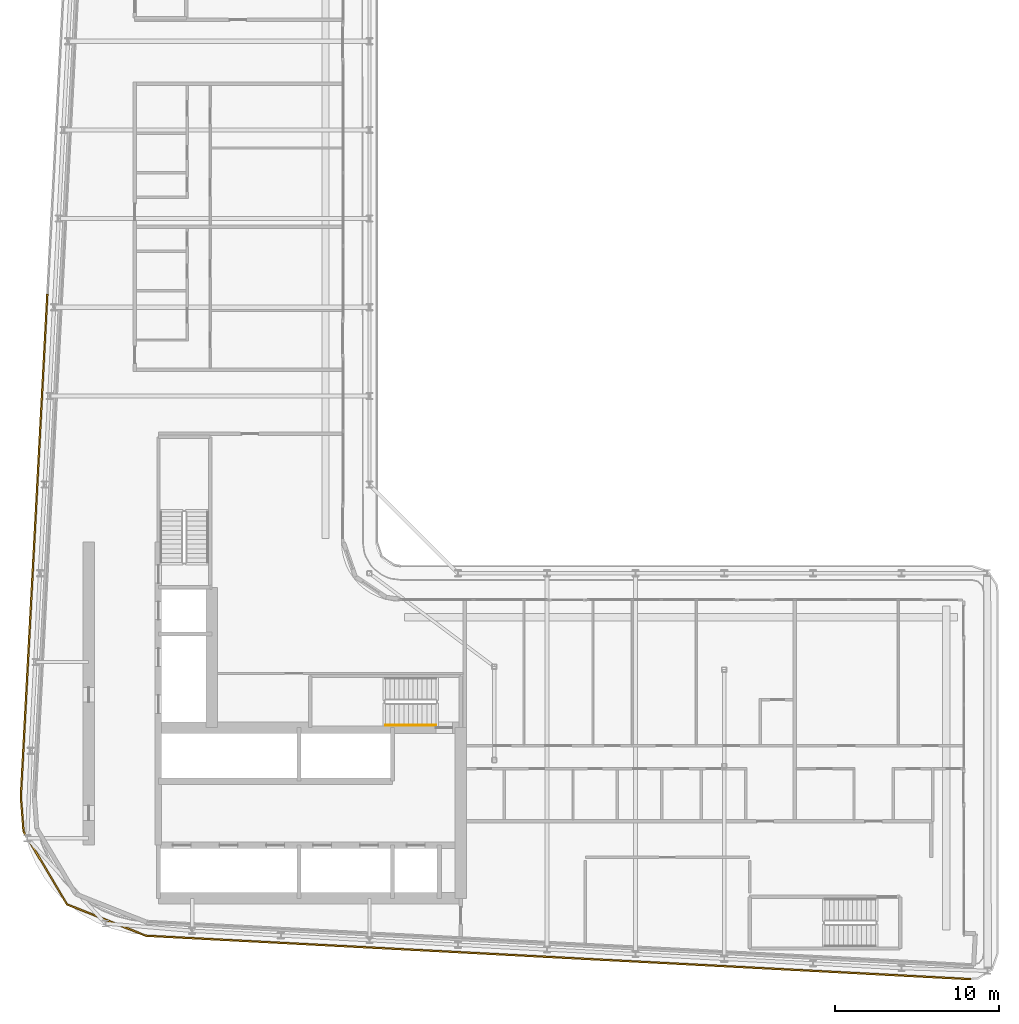
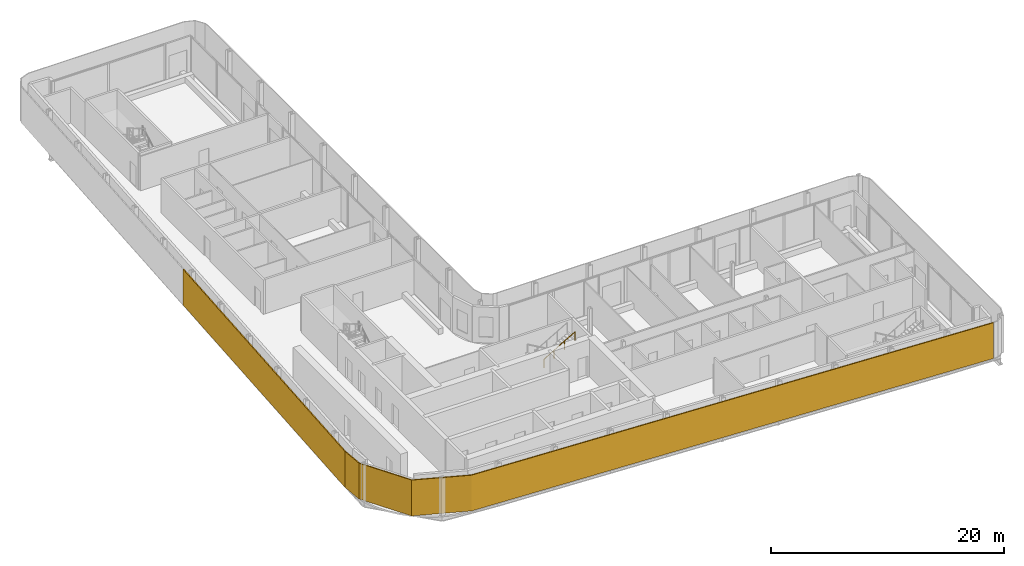
# One storey, part 15 of 21: 2 shading devices, 1 railing.
"""IFC4 building model written with IfcOpenShell, lengths in metres."""

import ifcopenshell
import ifcopenshell.guid

model = None  # the IFC model being written
_history = None  # IfcOwnerHistory: only IFC2X3 demands one
_inside = {}  # id of a spatial element -> (the spatial element, [elements in it])
_under = {}  # id of a project, library or spatial element -> (it, [spatial elements below it])
_declared = {}  # id of a project -> (the project, [libraries it declares])
_typed = {}  # id of a type object -> (the type object, [elements of that type])
_made_of = {}  # id of a material, layer set ... -> (it, [elements and type objects made of it])


def new_model(schema):
    """Start an empty IFC model of exactly this schema.

    Asked for "IFC4X3", IfcOpenShell would pick the latest addendum, in which some entities
    have other attributes; the version numbers below select the first issue.
    IFC2X3 requires an IfcOwnerHistory on every rooted entity: one is made here for all.
    """
    global model, _history
    if schema == "IFC4X3":
        model = ifcopenshell.file(schema_version=(4, 3, 0, 0))
    else:
        model = ifcopenshell.file(schema=schema)
    _inside.clear()
    _under.clear()
    _declared.clear()
    _typed.clear()
    _made_of.clear()
    _history = None
    if model.schema == "IFC2X3":
        org = make("IfcOrganization", Name="unknown")
        user = make(
            "IfcPersonAndOrganization",
            ThePerson=make("IfcPerson", FamilyName="unknown"),
            TheOrganization=org,
        )
        app = make(
            "IfcApplication",
            ApplicationDeveloper=org,
            Version="unknown",
            ApplicationFullName="unknown",
            ApplicationIdentifier="unknown",
        )
        _history = make(
            "IfcOwnerHistory",
            OwningUser=user,
            OwningApplication=app,
            ChangeAction="ADDED",
            CreationDate=0,
        )
    return model


def make(cls, **values):
    """One entity of the class cls with the attributes given. An attribute that is None is left unset."""
    return model.create_entity(
        cls, **{name: value for name, value in values.items() if value is not None}
    )


def rooted(cls, **values):
    """An entity with a GlobalId (a new one), such as an element, a storey or a relation."""
    return make(cls, GlobalId=ifcopenshell.guid.new(), OwnerHistory=_history, **values)


def si_unit(unit_type, name, prefix=None):
    """IfcSIUnit, for example si_unit("LENGTHUNIT", "METRE", prefix="MILLI")."""
    return make("IfcSIUnit", UnitType=unit_type, Prefix=prefix, Name=name)


def assignment(units):
    """IfcUnitAssignment: the units of a project."""
    return None if units is None else make("IfcUnitAssignment", Units=units)


def point(xyz):
    """IfcCartesianPoint."""
    return None if xyz is None else make("IfcCartesianPoint", Coordinates=xyz)


def direction(xyz):
    """IfcDirection."""
    return None if xyz is None else make("IfcDirection", DirectionRatios=xyz)


def frame(location, z_axis=None, x_axis=None):
    """IfcAxis2Placement3D, a coordinate frame: its origin and axes. An axis left out is left unset."""
    return make(
        "IfcAxis2Placement3D",
        Location=point(location),
        Axis=direction(z_axis),
        RefDirection=direction(x_axis),
    )


def frame_2d(location, x_axis=None):
    """IfcAxis2Placement2D, a coordinate frame in the plane: its origin and x axis."""
    return make(
        "IfcAxis2Placement2D", Location=point(location), RefDirection=direction(x_axis)
    )


def origin():
    """The frame at (0, 0, 0) with its axes left unset."""
    return frame((0.0, 0.0, 0.0))


def origin_2d():
    """The frame at (0, 0) in the plane with its x axis left unset."""
    return frame_2d((0.0, 0.0))


def place(relative_to, where):
    """IfcLocalPlacement: puts the frame where relative to a parent placement (None: the world)."""
    return make(
        "IfcLocalPlacement", PlacementRelTo=relative_to, RelativePlacement=where
    )


def context(
    kind, dimensions, precision=None, world=None, true_north=None, identifier=None
):
    """IfcGeometricRepresentationContext, for example the 3D "Model" context."""
    return make(
        "IfcGeometricRepresentationContext",
        ContextIdentifier=identifier,
        ContextType=kind,
        CoordinateSpaceDimension=dimensions,
        Precision=precision,
        WorldCoordinateSystem=world,
        TrueNorth=true_north,
    )


def subcontext(parent, identifier, kind, view, scale=None):
    """IfcGeometricRepresentationSubContext, for example "Body" below "Model"."""
    return make(
        "IfcGeometricRepresentationSubContext",
        ContextIdentifier=identifier,
        ContextType=kind,
        ParentContext=parent,
        TargetScale=scale,
        TargetView=view,
    )


def project(units=None, contexts=None):
    """IfcProject with its units and contexts."""
    return rooted(
        "IfcProject",
        Name="project",
        RepresentationContexts=contexts,
        UnitsInContext=assignment(units),
    )


def spatial(cls, under=None, at=None, **own):
    """A site, building, storey or space (cls), placed at a placement, below another one or the project."""
    s = rooted(cls, ObjectPlacement=at, **own)
    if under is not None:
        _under.setdefault(under.id(), (under, []))[1].append(s)
    return s


def polyline(points):
    """IfcPolyline through the points."""
    return make("IfcPolyline", Points=[point(p) for p in points])


def profile(cls, at=None, kind="AREA", **sizes):
    """A parametric profile (cls). Its sizes go by their IFC names, for example OverallWidth=200.0."""
    return make(cls, ProfileType=kind, Position=at, **sizes)


def rectangle(**sizes):
    """IfcRectangleProfileDef."""
    return profile("IfcRectangleProfileDef", **sizes)


def circle(**sizes):
    """IfcCircleProfileDef."""
    return profile("IfcCircleProfileDef", **sizes)


def outline(outer, holes=None, kind="AREA"):
    """IfcArbitraryClosedProfileDef: a profile drawn as a closed curve; with holes, ...WithVoids."""
    if holes is None:
        return make("IfcArbitraryClosedProfileDef", ProfileType=kind, OuterCurve=outer)
    return make(
        "IfcArbitraryProfileDefWithVoids",
        ProfileType=kind,
        OuterCurve=outer,
        InnerCurves=holes,
    )


def extrude(swept, where, along, depth):
    """IfcExtrudedAreaSolid: the profile swept, set in the frame where, extruded along a direction by depth."""
    return make(
        "IfcExtrudedAreaSolid",
        SweptArea=swept,
        Position=where,
        ExtrudedDirection=direction(along),
        Depth=depth,
    )


def shape(context_of_items, identifier, shape_type, items):
    """IfcShapeRepresentation: the items that make up one representation, for example the "Body"."""
    return make(
        "IfcShapeRepresentation",
        ContextOfItems=context_of_items,
        RepresentationIdentifier=identifier,
        RepresentationType=shape_type,
        Items=items,
    )


def material(Name=None, Category=None):
    """IfcMaterial."""
    return make("IfcMaterial", Name=Name, Category=Category)


def layer(
    of_material, thickness, ventilated=None, Name=None, Category=None, Priority=None
):
    """IfcMaterialLayer: one layer of a wall or slab, of a material (None: an air gap)."""
    return make(
        "IfcMaterialLayer",
        Material=of_material,
        LayerThickness=thickness,
        IsVentilated=ventilated,
        Name=Name,
        Category=Category,
        Priority=Priority,
    )


def layer_set(layers, Name=None):
    """IfcMaterialLayerSet."""
    return make("IfcMaterialLayerSet", MaterialLayers=layers, LayerSetName=Name)


def made_of(thing, what):
    """Note that an element or type object is made of a material, layer set ...; save() writes the relation."""
    if what is not None:
        _made_of.setdefault(what.id(), (what, []))[1].append(thing)
    return thing


def type_object(cls, material=None, **own):
    """A type object (cls), such as IfcWallType, which elements share."""
    return made_of(rooted(cls, **own), material)


def element(
    cls,
    number,
    at=None,
    inside=None,
    cuts=None,
    type_object=None,
    material=None,
    context=None,
    identifier="Body",
    shape_type=None,
    held_by="IfcProductDefinitionShape",
    body=None,
    shapes=None,
    **own,
):
    """One element of the class cls, such as IfcWall. Its Tag is "e" and its number.

    at: its placement. inside: the storey or other place that contains it. cuts: it is an
    opening in that element (IfcRelVoidsElement). A single representation is given by context,
    identifier, shape_type and body (its items); several are given by shapes. held_by: the class
    of the entity that holds the representations. save() writes the other relations.
    """
    e = rooted(cls, Tag="e%d" % number, ObjectPlacement=at, **own)
    if body is not None:
        shapes = [shape(context, identifier, shape_type, body)]
    if shapes is not None:
        e.Representation = make(held_by, Representations=shapes)
    if inside is not None:
        _inside.setdefault(inside.id(), (inside, []))[1].append(e)
    if cuts is not None:
        rooted(
            "IfcRelVoidsElement", RelatingBuildingElement=cuts, RelatedOpeningElement=e
        )
    if type_object is not None:
        _typed.setdefault(type_object.id(), (type_object, []))[1].append(e)
    return made_of(e, material)


def aggregate(whole, parts):
    """IfcRelAggregates: a whole, such as a stair, and the parts it consists of."""
    return rooted("IfcRelAggregates", RelatingObject=whole, RelatedObjects=parts)


def save(model, path):
    """Write the relations noted so far, then the file.

    IfcRelAggregates (storeys below a building ...), IfcRelContainedInSpatialStructure (elements
    in a storey), IfcRelDefinesByType, IfcRelAssociatesMaterial and IfcRelDeclares: one each for
    every whole, place, type object, material and project.
    """
    for whole, parts in _under.values():
        aggregate(whole, parts)
    for where, things in _inside.values():
        rooted(
            "IfcRelContainedInSpatialStructure",
            RelatedElements=things,
            RelatingStructure=where,
        )
    for kind, things in _typed.values():
        rooted("IfcRelDefinesByType", RelatedObjects=things, RelatingType=kind)
    for what, things in _made_of.values():
        rooted("IfcRelAssociatesMaterial", RelatedObjects=things, RelatingMaterial=what)
    for by, libraries in _declared.values():
        rooted("IfcRelDeclares", RelatingContext=by, RelatedDefinitions=libraries)
    model.write(path)


model = new_model("IFC4")

# Units and contexts
model_context = context("Model", 3, precision=1e-05, world=origin(), true_north=direction((0.0, 1.0)))
body_context = subcontext(model_context, "Body", "Model", "MODEL_VIEW")
ifc_project = project(units=[si_unit("LENGTHUNIT", "METRE"), si_unit("AREAUNIT", "SQUARE_METRE"), si_unit("VOLUMEUNIT", "CUBIC_METRE"), si_unit("PLANEANGLEUNIT", "RADIAN"), si_unit("MASSUNIT", "GRAM", prefix="KILO")], contexts=[model_context])

# Site, building, storey
site_placement = place(None, origin())
site = spatial("IfcSite", under=ifc_project, at=site_placement, CompositionType="ELEMENT")
building_placement = place(site_placement, origin())
building = spatial("IfcBuilding", under=site, at=building_placement, Name="Kheshtan School and Residences Tower", CompositionType="ELEMENT")
storey_placement = place(building_placement, frame((0.0, 0.0, 227.89990234375)))
storey = spatial("IfcBuildingStorey", under=building, at=storey_placement, Name="L53", CompositionType="ELEMENT", Elevation=227.89990234375)

# Shading devices
ifc_material_1 = material(Name="Terracotta baguette, extruded ceramic", Category="masonry")
ifc_layer = layer(ifc_material_1, 0.10009765625)
ifc_layer_set = layer_set([ifc_layer], Name="Ledge screen, terracotta baguettes")
shading_device_type = type_object("IfcShadingDeviceType", Name="Ledge screen, terracotta baguettes", PredefinedType="USERDEFINED", material=ifc_layer_set)
shading_device_1_placement = place(storey_placement, origin())
element("IfcShadingDevice", 1, at=shading_device_1_placement, inside=storey, type_object=shading_device_type, Name="Screen L53 3", ObjectType="BAGUETTE", PredefinedType="USERDEFINED", context=body_context, shape_type="SweptSolid", body=[
    extrude(outline(polyline([(84.220947265625, 20.93603515625), (33.989013671875, 23.580078125), (29.2119140625, 25.486083984375), (26.583984375, 29.906982421875), (26.419921875, 31.989013671875), (26.320068359375, 31.98095703125), (26.486083984375, 29.8759765625), (29.14306640625, 25.406005859375), (33.967041015625, 23.48095703125), (84.216064453125, 20.8359375), (84.220947265625, 20.93603515625)])), origin(), (0.0, 0.0, 1.0), 3.75),
])
shading_device_2_placement = place(storey_placement, frame((27.175048828125, 47.2890625, 0.0), z_axis=(0.0, 0.0, 1.0), x_axis=(0.052562536748, 0.998617634398, 0.0)))
element("IfcShadingDevice", 2, at=shading_device_2_placement, inside=storey, type_object=shading_device_type, Name="Screen L53 4", ObjectType="BAGUETTE", PredefinedType="USERDEFINED", context=body_context, shape_type="SweptSolid", body=[
    extrude(rectangle(XDim=30.636962890625, YDim=0.10009765625, at=origin_2d()), origin(), (0.0, 0.0, 1.0), 3.75),
])

# Railing
ifc_material_2 = material(Name="Stainless steel handrail", Category="steel")
railing_type = type_object("IfcRailingType", Name="Stair handrail 900", PredefinedType="HANDRAIL", material=ifc_material_2)
railing_placement = place(storey_placement, frame((48.570068359375, 36.35009765625, 2.112548828125)))
element("IfcRailing", 3, at=railing_placement, inside=storey, type_object=railing_type, Name="L53 ST1 stair handrail 2", PredefinedType="HANDRAIL", context=body_context, shape_type="SweptSolid", body=[
    extrude(circle(Radius=0.02392578125, at=origin_2d()), frame((0.0, 0.0, 0.8759765625), z_axis=(0.864873446163, 0.0, 0.501989962173), x_axis=(0.0, 1.0, 0.0)), (0.0, 0.0, 1.0), 3.56103515625),
    extrude(circle(Radius=0.02099609375, at=origin_2d()), origin(), (0.0, 0.0, 1.0), 0.851806640625),
    extrude(circle(Radius=0.02099609375, at=origin_2d()), frame((1.026611328125, 0.0, 0.595947265625)), (0.0, 0.0, 1.0), 0.851806640625),
    extrude(circle(Radius=0.02099609375, at=origin_2d()), frame((2.05322265625, 0.0, 1.191650390625)), (0.0, 0.0, 1.0), 0.851806640625),
    extrude(circle(Radius=0.02099609375, at=origin_2d()), frame((3.079833984375, 0.0, 1.78759765625)), (0.0, 0.0, 1.0), 0.851806640625),
])

save(model, "model.ifc")
